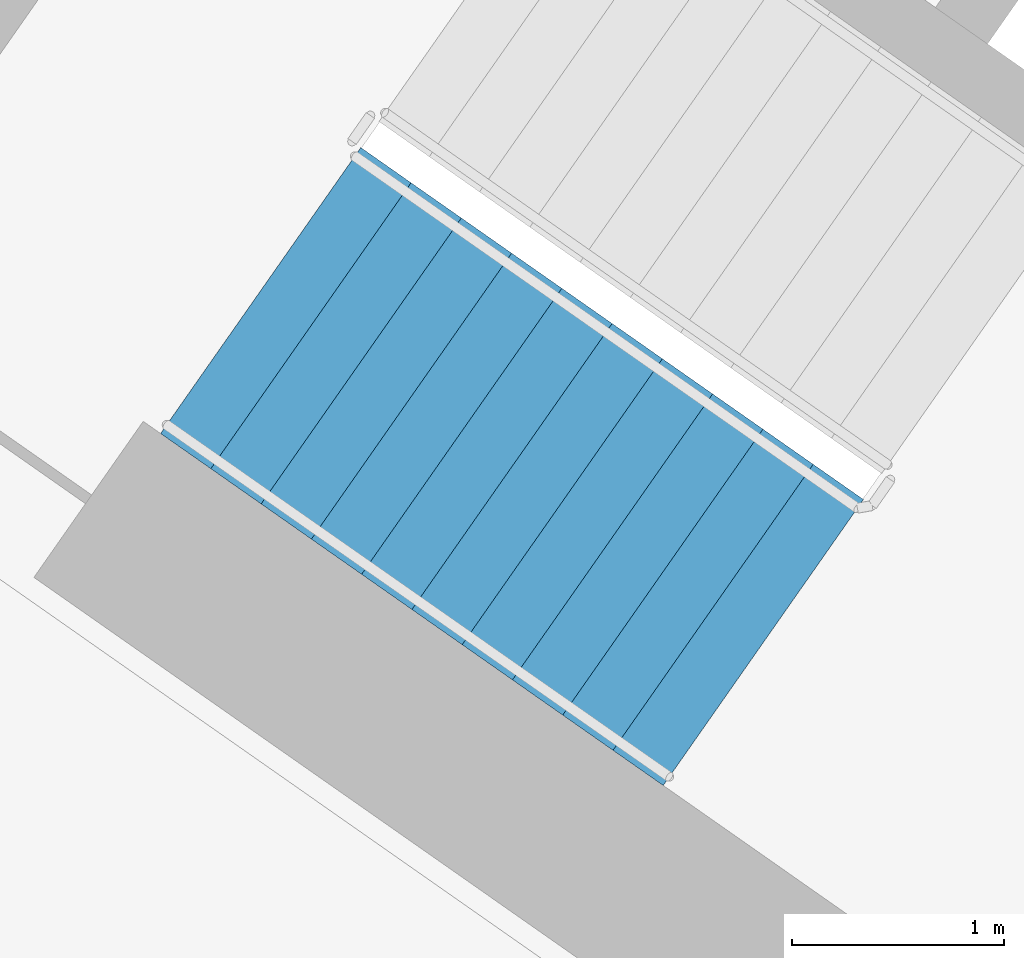
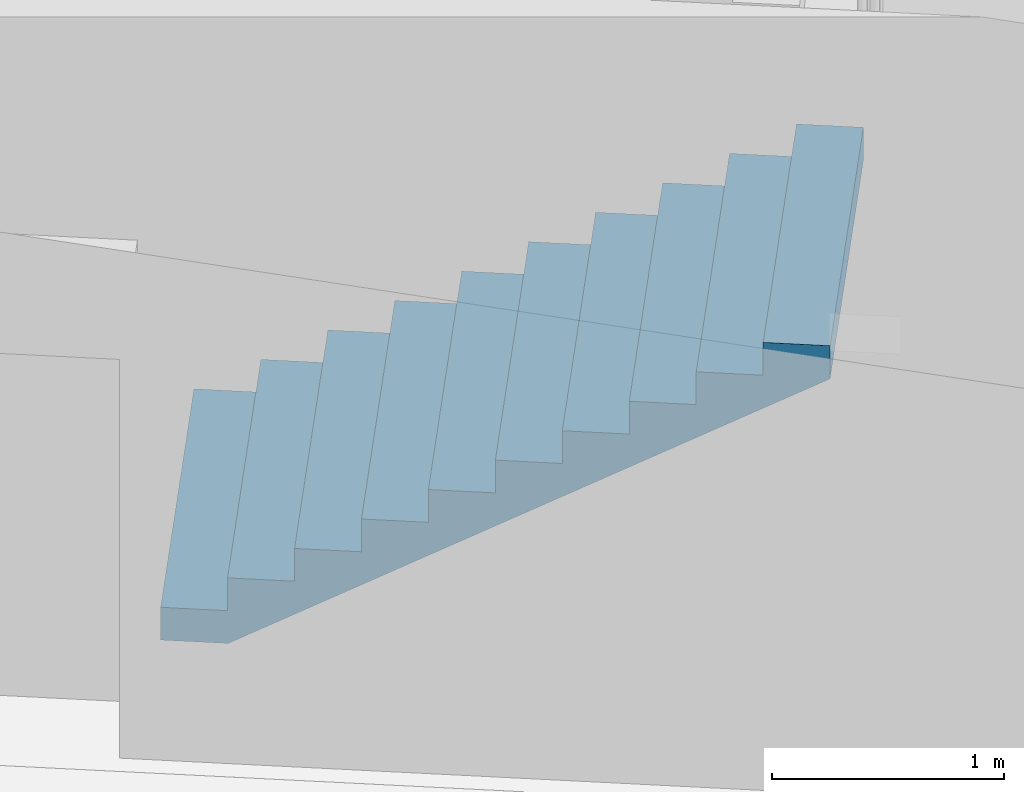
# One storey, part 12 of 32: 1 stair flight, 1 element without a shape of its own.
"""IFC4 building model written with IfcOpenShell, lengths in metres."""

import ifcopenshell
import ifcopenshell.guid

model = None  # the IFC model being written
_history = None  # IfcOwnerHistory: only IFC2X3 demands one
_inside = {}  # id of a spatial element -> (the spatial element, [elements in it])
_under = {}  # id of a project, library or spatial element -> (it, [spatial elements below it])
_declared = {}  # id of a project -> (the project, [libraries it declares])
_typed = {}  # id of a type object -> (the type object, [elements of that type])
_made_of = {}  # id of a material, layer set ... -> (it, [elements and type objects made of it])


def new_model(schema):
    """Start an empty IFC model of exactly this schema.

    Asked for "IFC4X3", IfcOpenShell would pick the latest addendum, in which some entities
    have other attributes; the version numbers below select the first issue.
    IFC2X3 requires an IfcOwnerHistory on every rooted entity: one is made here for all.
    """
    global model, _history
    if schema == "IFC4X3":
        model = ifcopenshell.file(schema_version=(4, 3, 0, 0))
    else:
        model = ifcopenshell.file(schema=schema)
    _inside.clear()
    _under.clear()
    _declared.clear()
    _typed.clear()
    _made_of.clear()
    _history = None
    if model.schema == "IFC2X3":
        org = make("IfcOrganization", Name="unknown")
        user = make(
            "IfcPersonAndOrganization",
            ThePerson=make("IfcPerson", FamilyName="unknown"),
            TheOrganization=org,
        )
        app = make(
            "IfcApplication",
            ApplicationDeveloper=org,
            Version="unknown",
            ApplicationFullName="unknown",
            ApplicationIdentifier="unknown",
        )
        _history = make(
            "IfcOwnerHistory",
            OwningUser=user,
            OwningApplication=app,
            ChangeAction="ADDED",
            CreationDate=0,
        )
    return model


def make(cls, **values):
    """One entity of the class cls with the attributes given. An attribute that is None is left unset."""
    return model.create_entity(
        cls, **{name: value for name, value in values.items() if value is not None}
    )


def rooted(cls, **values):
    """An entity with a GlobalId (a new one), such as an element, a storey or a relation."""
    return make(cls, GlobalId=ifcopenshell.guid.new(), OwnerHistory=_history, **values)


def si_unit(unit_type, name, prefix=None):
    """IfcSIUnit, for example si_unit("LENGTHUNIT", "METRE", prefix="MILLI")."""
    return make("IfcSIUnit", UnitType=unit_type, Prefix=prefix, Name=name)


def assignment(units):
    """IfcUnitAssignment: the units of a project."""
    return None if units is None else make("IfcUnitAssignment", Units=units)


def point(xyz):
    """IfcCartesianPoint."""
    return None if xyz is None else make("IfcCartesianPoint", Coordinates=xyz)


def direction(xyz):
    """IfcDirection."""
    return None if xyz is None else make("IfcDirection", DirectionRatios=xyz)


def frame(location, z_axis=None, x_axis=None):
    """IfcAxis2Placement3D, a coordinate frame: its origin and axes. An axis left out is left unset."""
    return make(
        "IfcAxis2Placement3D",
        Location=point(location),
        Axis=direction(z_axis),
        RefDirection=direction(x_axis),
    )


def origin():
    """The frame at (0, 0, 0) with its axes left unset."""
    return frame((0.0, 0.0, 0.0))


def place(relative_to, where):
    """IfcLocalPlacement: puts the frame where relative to a parent placement (None: the world)."""
    return make(
        "IfcLocalPlacement", PlacementRelTo=relative_to, RelativePlacement=where
    )


def context(
    kind, dimensions, precision=None, world=None, true_north=None, identifier=None
):
    """IfcGeometricRepresentationContext, for example the 3D "Model" context."""
    return make(
        "IfcGeometricRepresentationContext",
        ContextIdentifier=identifier,
        ContextType=kind,
        CoordinateSpaceDimension=dimensions,
        Precision=precision,
        WorldCoordinateSystem=world,
        TrueNorth=true_north,
    )


def subcontext(parent, identifier, kind, view, scale=None):
    """IfcGeometricRepresentationSubContext, for example "Body" below "Model"."""
    return make(
        "IfcGeometricRepresentationSubContext",
        ContextIdentifier=identifier,
        ContextType=kind,
        ParentContext=parent,
        TargetScale=scale,
        TargetView=view,
    )


def project(units=None, contexts=None):
    """IfcProject with its units and contexts."""
    return rooted(
        "IfcProject",
        Name="project",
        RepresentationContexts=contexts,
        UnitsInContext=assignment(units),
    )


def spatial(cls, under=None, at=None, **own):
    """A site, building, storey or space (cls), placed at a placement, below another one or the project."""
    s = rooted(cls, ObjectPlacement=at, **own)
    if under is not None:
        _under.setdefault(under.id(), (under, []))[1].append(s)
    return s


def faces_of(points, faces, orient=None, outer=None):
    """IfcFace entities. A face is a list of loops; a loop is a list of indices into points, from 0.

    orient and outer hold one flag for each loop. By default every Orientation is true, the
    first loop of a face is its IfcFaceOuterBound and the others are IfcFaceBound.
    """
    made = []
    for i, loops in enumerate(faces):
        bounds = []
        for j, loop in enumerate(loops):
            is_outer = j == 0 if outer is None else outer[i][j]
            bounds.append(
                make(
                    "IfcFaceOuterBound" if is_outer else "IfcFaceBound",
                    Bound=make("IfcPolyLoop", Polygon=[points[k] for k in loop]),
                    Orientation=True if orient is None else orient[i][j],
                )
            )
        made.append(make("IfcFace", Bounds=bounds))
    return made


def faceted_brep(points, faces, orient=None, outer=None, voids=None):
    """IfcFacetedBrep: a solid bounded by flat faces; with voids (closed shells), ...WithVoids."""
    shared = [point(p) for p in points]
    hull = make("IfcClosedShell", CfsFaces=faces_of(shared, faces, orient, outer))
    if voids is None:
        return make("IfcFacetedBrep", Outer=hull)
    return make(
        "IfcFacetedBrepWithVoids",
        Outer=hull,
        Voids=[
            make(cls, CfsFaces=faces_of(shared, fs, o, b)) for cls, fs, o, b in voids
        ],
    )


def shape(context_of_items, identifier, shape_type, items):
    """IfcShapeRepresentation: the items that make up one representation, for example the "Body"."""
    return make(
        "IfcShapeRepresentation",
        ContextOfItems=context_of_items,
        RepresentationIdentifier=identifier,
        RepresentationType=shape_type,
        Items=items,
    )


def material(Name=None, Category=None):
    """IfcMaterial."""
    return make("IfcMaterial", Name=Name, Category=Category)


def made_of(thing, what):
    """Note that an element or type object is made of a material, layer set ...; save() writes the relation."""
    if what is not None:
        _made_of.setdefault(what.id(), (what, []))[1].append(thing)
    return thing


def type_object(cls, material=None, **own):
    """A type object (cls), such as IfcWallType, which elements share."""
    return made_of(rooted(cls, **own), material)


def element(
    cls,
    number,
    at=None,
    inside=None,
    cuts=None,
    type_object=None,
    material=None,
    context=None,
    identifier="Body",
    shape_type=None,
    held_by="IfcProductDefinitionShape",
    body=None,
    shapes=None,
    **own,
):
    """One element of the class cls, such as IfcWall. Its Tag is "e" and its number.

    at: its placement. inside: the storey or other place that contains it. cuts: it is an
    opening in that element (IfcRelVoidsElement). A single representation is given by context,
    identifier, shape_type and body (its items); several are given by shapes. held_by: the class
    of the entity that holds the representations. save() writes the other relations.
    """
    e = rooted(cls, Tag="e%d" % number, ObjectPlacement=at, **own)
    if body is not None:
        shapes = [shape(context, identifier, shape_type, body)]
    if shapes is not None:
        e.Representation = make(held_by, Representations=shapes)
    if inside is not None:
        _inside.setdefault(inside.id(), (inside, []))[1].append(e)
    if cuts is not None:
        rooted(
            "IfcRelVoidsElement", RelatingBuildingElement=cuts, RelatedOpeningElement=e
        )
    if type_object is not None:
        _typed.setdefault(type_object.id(), (type_object, []))[1].append(e)
    return made_of(e, material)


def aggregate(whole, parts):
    """IfcRelAggregates: a whole, such as a stair, and the parts it consists of."""
    return rooted("IfcRelAggregates", RelatingObject=whole, RelatedObjects=parts)


def save(model, path):
    """Write the relations noted so far, then the file.

    IfcRelAggregates (storeys below a building ...), IfcRelContainedInSpatialStructure (elements
    in a storey), IfcRelDefinesByType, IfcRelAssociatesMaterial and IfcRelDeclares: one each for
    every whole, place, type object, material and project.
    """
    for whole, parts in _under.values():
        aggregate(whole, parts)
    for where, things in _inside.values():
        rooted(
            "IfcRelContainedInSpatialStructure",
            RelatedElements=things,
            RelatingStructure=where,
        )
    for kind, things in _typed.values():
        rooted("IfcRelDefinesByType", RelatedObjects=things, RelatingType=kind)
    for what, things in _made_of.values():
        rooted("IfcRelAssociatesMaterial", RelatedObjects=things, RelatingMaterial=what)
    for by, libraries in _declared.values():
        rooted("IfcRelDeclares", RelatingContext=by, RelatedDefinitions=libraries)
    model.write(path)


model = new_model("IFC4")

# Units and contexts
model_context = context("Model", 3, precision=1e-05, world=origin(), true_north=direction((0.0, 1.0)))
body_context = subcontext(model_context, "Body", "Model", "MODEL_VIEW")
ifc_project = project(units=[si_unit("LENGTHUNIT", "METRE"), si_unit("AREAUNIT", "SQUARE_METRE"), si_unit("VOLUMEUNIT", "CUBIC_METRE"), si_unit("PLANEANGLEUNIT", "RADIAN"), si_unit("MASSUNIT", "GRAM", prefix="KILO")], contexts=[model_context])

# Site, building, storey
site_placement = place(None, origin())
site = spatial("IfcSite", under=ifc_project, at=site_placement, CompositionType="ELEMENT")
building_placement = place(site_placement, origin())
building = spatial("IfcBuilding", under=site, at=building_placement, Name="Qamariyya Broadcast Tower", CompositionType="ELEMENT")
storey_placement = place(building_placement, frame((0.0, 0.0, 70.89990234375)))
storey = spatial("IfcBuildingStorey", under=building, at=storey_placement, Name="L14", CompositionType="ELEMENT", Elevation=70.89990234375)

# Stair, stair flight
ifc_material = material(Name="Concrete C50/60", Category="concrete")
stair_type = type_object("IfcStairType", Name="Exit stair 22 risers of 173 mm", PredefinedType="HALF_TURN_STAIR", material=ifc_material)
stair_placement = place(storey_placement, origin())
stair = element("IfcStair", 1, at=stair_placement, inside=storey, type_object=stair_type, Name="L14 Stair W1", PredefinedType="HALF_TURN_STAIR")
stair_flight_type = type_object("IfcStairFlightType", Name="Exit stair flight 11 risers of 173 mm", PredefinedType="STRAIGHT", material=ifc_material)
stair_flight_placement = place(storey_placement, frame((-47.06884765625, -56.982666015625, 0.0), z_axis=(0.0, 0.0, 1.0), x_axis=(0.819152044289, -0.573576436351, 0.0)))
stair_flight = element("IfcStairFlight", 2, at=stair_flight_placement, type_object=stair_flight_type, Name="ST-W1 flight 1", NumberOfRisers=11, NumberOfTreads=10, PredefinedType="STRAIGHT", RiserHeight=0.172727273, TreadLength=0.29, context=body_context, shape_type="Brep", body=[
    faceted_brep([(0.0, 0.824951171875, 0.0), (0.0, 0.824951171875, 0.172607421875), (0.2900390625, 0.824951171875, 0.172607421875), (0.2900390625, 0.824951171875, 0.345458984375), (0.580078125, 0.824951171875, 0.345458984375), (0.580078125, 0.824951171875, 0.51806640625), (0.8701171875, 0.824951171875, 0.51806640625), (0.8701171875, 0.824951171875, 0.69091796875), (1.159912109375, 0.824951171875, 0.69091796875), (1.159912109375, 0.824951171875, 0.863525390625), (1.449951171875, 0.824951171875, 0.863525390625), (1.449951171875, 0.824951171875, 1.036376953125), (1.739990234375, 0.824951171875, 1.036376953125), (1.739990234375, 0.824951171875, 1.208984375), (2.030029296875, 0.824951171875, 1.208984375), (2.030029296875, 0.824951171875, 1.3818359375), (2.320068359375, 0.824951171875, 1.3818359375), (2.320068359375, 0.824951171875, 1.554443359375), (2.610107421875, 0.824951171875, 1.554443359375), (2.610107421875, 0.824951171875, 1.727294921875), (2.89990234375, 0.824951171875, 1.727294921875), (2.89990234375, 0.824951171875, 1.552734375), (0.29296875, 0.824951171875, 0.0), (0.29296875, -0.824951171875, 0.0), (2.89990234375, -0.824951171875, 1.552734375), (2.89990234375, -0.824951171875, 1.727294921875), (2.610107421875, -0.824951171875, 1.727294921875), (2.610107421875, -0.824951171875, 1.554443359375), (2.320068359375, -0.824951171875, 1.554443359375), (2.320068359375, -0.824951171875, 1.3818359375), (2.030029296875, -0.824951171875, 1.3818359375), (2.030029296875, -0.824951171875, 1.208984375), (1.739990234375, -0.824951171875, 1.208984375), (1.739990234375, -0.824951171875, 1.036376953125), (1.449951171875, -0.824951171875, 1.036376953125), (1.449951171875, -0.824951171875, 0.863525390625), (1.159912109375, -0.824951171875, 0.863525390625), (1.159912109375, -0.824951171875, 0.69091796875), (0.8701171875, -0.824951171875, 0.69091796875), (0.8701171875, -0.824951171875, 0.51806640625), (0.580078125, -0.824951171875, 0.51806640625), (0.580078125, -0.824951171875, 0.345458984375), (0.2900390625, -0.824951171875, 0.345458984375), (0.2900390625, -0.824951171875, 0.172607421875), (0.0, -0.824951171875, 0.172607421875), (0.0, -0.824951171875, 0.0), (0.0, 0.10009765625, 0.0), (0.0, 0.086669921875, 0.0), (0.0, 0.0732421875, 0.0), (0.0, 0.06005859375, 0.0), (0.0, 0.046630859375, 0.0), (0.0, 0.033447265625, 0.0), (0.0, 0.02001953125, 0.0), (0.0, 0.006591796875, 0.0), (0.0, -0.006591796875, 0.0), (0.0, -0.02001953125, 0.0), (0.0, -0.033447265625, 0.0), (0.0, -0.046630859375, 0.0), (0.0, -0.06005859375, 0.0), (0.0, -0.0732421875, 0.0), (0.0, -0.086669921875, 0.0), (0.0, -0.10009765625, 0.0), (0.0, -0.10009765625, 0.172607421875), (0.0, -0.086669921875, 0.172607421875), (0.0, -0.0732421875, 0.172607421875), (0.0, -0.06005859375, 0.172607421875), (0.0, -0.046630859375, 0.172607421875), (0.0, -0.033447265625, 0.172607421875), (0.0, -0.02001953125, 0.172607421875), (0.0, -0.006591796875, 0.172607421875), (0.0, 0.006591796875, 0.172607421875), (0.0, 0.02001953125, 0.172607421875), (0.0, 0.033447265625, 0.172607421875), (0.0, 0.046630859375, 0.172607421875), (0.0, 0.06005859375, 0.172607421875), (0.0, 0.0732421875, 0.172607421875), (0.0, 0.086669921875, 0.172607421875), (0.0, 0.10009765625, 0.172607421875), (0.2900390625, -0.10009765625, 0.172607421875), (0.2900390625, -0.086669921875, 0.172607421875), (0.2900390625, -0.0732421875, 0.172607421875), (0.2900390625, -0.06005859375, 0.172607421875), (0.2900390625, -0.046630859375, 0.172607421875), (0.2900390625, -0.033447265625, 0.172607421875), (0.2900390625, -0.02001953125, 0.172607421875), (0.2900390625, -0.006591796875, 0.172607421875), (0.2900390625, 0.006591796875, 0.172607421875), (0.2900390625, 0.02001953125, 0.172607421875), (0.2900390625, 0.033447265625, 0.172607421875), (0.2900390625, 0.046630859375, 0.172607421875), (0.2900390625, 0.06005859375, 0.172607421875), (0.2900390625, 0.0732421875, 0.172607421875), (0.2900390625, 0.086669921875, 0.172607421875), (0.2900390625, 0.10009765625, 0.172607421875), (0.2900390625, -0.10009765625, 0.345458984375), (0.2900390625, -0.086669921875, 0.345458984375), (0.2900390625, -0.0732421875, 0.345458984375), (0.2900390625, -0.06005859375, 0.345458984375), (0.2900390625, -0.046630859375, 0.345458984375), (0.2900390625, -0.033447265625, 0.345458984375), (0.2900390625, -0.02001953125, 0.345458984375), (0.2900390625, -0.006591796875, 0.345458984375), (0.2900390625, 0.006591796875, 0.345458984375), (0.2900390625, 0.02001953125, 0.345458984375), (0.2900390625, 0.033447265625, 0.345458984375), (0.2900390625, 0.046630859375, 0.345458984375), (0.2900390625, 0.06005859375, 0.345458984375), (0.2900390625, 0.0732421875, 0.345458984375), (0.2900390625, 0.086669921875, 0.345458984375), (0.2900390625, 0.10009765625, 0.345458984375), (0.580078125, -0.10009765625, 0.345458984375), (0.580078125, -0.086669921875, 0.345458984375), (0.580078125, -0.0732421875, 0.345458984375), (0.580078125, -0.06005859375, 0.345458984375), (0.580078125, -0.046630859375, 0.345458984375), (0.580078125, -0.033447265625, 0.345458984375), (0.580078125, -0.02001953125, 0.345458984375), (0.580078125, -0.006591796875, 0.345458984375), (0.580078125, 0.006591796875, 0.345458984375), (0.580078125, 0.02001953125, 0.345458984375), (0.580078125, 0.033447265625, 0.345458984375), (0.580078125, 0.046630859375, 0.345458984375), (0.580078125, 0.06005859375, 0.345458984375), (0.580078125, 0.0732421875, 0.345458984375), (0.580078125, 0.086669921875, 0.345458984375), (0.580078125, 0.10009765625, 0.345458984375), (0.580078125, -0.10009765625, 0.51806640625), (0.580078125, -0.086669921875, 0.51806640625), (0.580078125, -0.0732421875, 0.51806640625), (0.580078125, -0.06005859375, 0.51806640625), (0.580078125, -0.046630859375, 0.51806640625), (0.580078125, -0.033447265625, 0.51806640625), (0.580078125, -0.02001953125, 0.51806640625), (0.580078125, -0.006591796875, 0.51806640625), (0.580078125, 0.006591796875, 0.51806640625), (0.580078125, 0.02001953125, 0.51806640625), (0.580078125, 0.033447265625, 0.51806640625), (0.580078125, 0.046630859375, 0.51806640625), (0.580078125, 0.06005859375, 0.51806640625), (0.580078125, 0.0732421875, 0.51806640625), (0.580078125, 0.086669921875, 0.51806640625), (0.580078125, 0.10009765625, 0.51806640625), (0.8701171875, -0.10009765625, 0.51806640625), (0.8701171875, -0.086669921875, 0.51806640625), (0.8701171875, -0.0732421875, 0.51806640625), (0.8701171875, -0.06005859375, 0.51806640625), (0.8701171875, -0.046630859375, 0.51806640625), (0.8701171875, -0.033447265625, 0.51806640625), (0.8701171875, -0.02001953125, 0.51806640625), (0.8701171875, -0.006591796875, 0.51806640625), (0.8701171875, 0.006591796875, 0.51806640625), (0.8701171875, 0.02001953125, 0.51806640625), (0.8701171875, 0.033447265625, 0.51806640625), (0.8701171875, 0.046630859375, 0.51806640625), (0.8701171875, 0.06005859375, 0.51806640625), (0.8701171875, 0.0732421875, 0.51806640625), (0.8701171875, 0.086669921875, 0.51806640625), (0.8701171875, 0.10009765625, 0.51806640625), (0.8701171875, -0.10009765625, 0.69091796875), (0.8701171875, -0.086669921875, 0.69091796875), (0.8701171875, -0.0732421875, 0.69091796875), (0.8701171875, -0.06005859375, 0.69091796875), (0.8701171875, -0.046630859375, 0.69091796875), (0.8701171875, -0.033447265625, 0.69091796875), (0.8701171875, -0.02001953125, 0.69091796875), (0.8701171875, -0.006591796875, 0.69091796875), (0.8701171875, 0.006591796875, 0.69091796875), (0.8701171875, 0.02001953125, 0.69091796875), (0.8701171875, 0.033447265625, 0.69091796875), (0.8701171875, 0.046630859375, 0.69091796875), (0.8701171875, 0.06005859375, 0.69091796875), (0.8701171875, 0.0732421875, 0.69091796875), (0.8701171875, 0.086669921875, 0.69091796875), (0.8701171875, 0.10009765625, 0.69091796875), (1.159912109375, -0.10009765625, 0.69091796875), (1.159912109375, -0.086669921875, 0.69091796875), (1.159912109375, -0.0732421875, 0.69091796875), (1.159912109375, -0.06005859375, 0.69091796875), (1.159912109375, -0.046630859375, 0.69091796875), (1.159912109375, -0.033447265625, 0.69091796875), (1.159912109375, -0.02001953125, 0.69091796875), (1.159912109375, -0.006591796875, 0.69091796875), (1.159912109375, 0.006591796875, 0.69091796875), (1.159912109375, 0.02001953125, 0.69091796875), (1.159912109375, 0.033447265625, 0.69091796875), (1.159912109375, 0.046630859375, 0.69091796875), (1.159912109375, 0.06005859375, 0.69091796875), (1.159912109375, 0.0732421875, 0.69091796875), (1.159912109375, 0.086669921875, 0.69091796875), (1.159912109375, 0.10009765625, 0.69091796875), (1.159912109375, -0.10009765625, 0.863525390625), (1.159912109375, -0.086669921875, 0.863525390625), (1.159912109375, -0.0732421875, 0.863525390625), (1.159912109375, -0.06005859375, 0.863525390625), (1.159912109375, -0.046630859375, 0.863525390625), (1.159912109375, -0.033447265625, 0.863525390625), (1.159912109375, -0.02001953125, 0.863525390625), (1.159912109375, -0.006591796875, 0.863525390625), (1.159912109375, 0.006591796875, 0.863525390625), (1.159912109375, 0.02001953125, 0.863525390625), (1.159912109375, 0.033447265625, 0.863525390625), (1.159912109375, 0.046630859375, 0.863525390625), (1.159912109375, 0.06005859375, 0.863525390625), (1.159912109375, 0.0732421875, 0.863525390625), (1.159912109375, 0.086669921875, 0.863525390625), (1.159912109375, 0.10009765625, 0.863525390625), (1.449951171875, -0.10009765625, 0.863525390625), (1.449951171875, -0.086669921875, 0.863525390625), (1.449951171875, -0.0732421875, 0.863525390625), (1.449951171875, -0.06005859375, 0.863525390625), (1.449951171875, -0.046630859375, 0.863525390625), (1.449951171875, -0.033447265625, 0.863525390625), (1.449951171875, -0.02001953125, 0.863525390625), (1.449951171875, -0.006591796875, 0.863525390625), (1.449951171875, 0.006591796875, 0.863525390625), (1.449951171875, 0.02001953125, 0.863525390625), (1.449951171875, 0.033447265625, 0.863525390625), (1.449951171875, 0.046630859375, 0.863525390625), (1.449951171875, 0.06005859375, 0.863525390625), (1.449951171875, 0.0732421875, 0.863525390625), (1.449951171875, 0.086669921875, 0.863525390625), (1.449951171875, 0.10009765625, 0.863525390625), (1.449951171875, -0.10009765625, 1.036376953125), (1.449951171875, -0.086669921875, 1.036376953125), (1.449951171875, -0.0732421875, 1.036376953125), (1.449951171875, -0.06005859375, 1.036376953125), (1.449951171875, -0.046630859375, 1.036376953125), (1.449951171875, -0.033447265625, 1.036376953125), (1.449951171875, -0.02001953125, 1.036376953125), (1.449951171875, -0.006591796875, 1.036376953125), (1.449951171875, 0.006591796875, 1.036376953125), (1.449951171875, 0.02001953125, 1.036376953125), (1.449951171875, 0.033447265625, 1.036376953125), (1.449951171875, 0.046630859375, 1.036376953125), (1.449951171875, 0.06005859375, 1.036376953125), (1.449951171875, 0.0732421875, 1.036376953125), (1.449951171875, 0.086669921875, 1.036376953125), (1.449951171875, 0.10009765625, 1.036376953125), (1.739990234375, -0.10009765625, 1.036376953125), (1.739990234375, -0.086669921875, 1.036376953125), (1.739990234375, -0.0732421875, 1.036376953125), (1.739990234375, -0.06005859375, 1.036376953125), (1.739990234375, -0.046630859375, 1.036376953125), (1.739990234375, -0.033447265625, 1.036376953125), (1.739990234375, -0.02001953125, 1.036376953125), (1.739990234375, -0.006591796875, 1.036376953125), (1.739990234375, 0.006591796875, 1.036376953125), (1.739990234375, 0.02001953125, 1.036376953125), (1.739990234375, 0.033447265625, 1.036376953125), (1.739990234375, 0.046630859375, 1.036376953125), (1.739990234375, 0.06005859375, 1.036376953125), (1.739990234375, 0.0732421875, 1.036376953125), (1.739990234375, 0.086669921875, 1.036376953125), (1.739990234375, 0.10009765625, 1.036376953125), (1.739990234375, -0.10009765625, 1.208984375), (1.739990234375, -0.086669921875, 1.208984375), (1.739990234375, -0.0732421875, 1.208984375), (1.739990234375, -0.06005859375, 1.208984375), (1.739990234375, -0.046630859375, 1.208984375), (1.739990234375, -0.033447265625, 1.208984375), (1.739990234375, -0.02001953125, 1.208984375), (1.739990234375, -0.006591796875, 1.208984375), (1.739990234375, 0.006591796875, 1.208984375), (1.739990234375, 0.02001953125, 1.208984375), (1.739990234375, 0.033447265625, 1.208984375), (1.739990234375, 0.046630859375, 1.208984375), (1.739990234375, 0.06005859375, 1.208984375), (1.739990234375, 0.0732421875, 1.208984375), (1.739990234375, 0.086669921875, 1.208984375), (1.739990234375, 0.10009765625, 1.208984375), (2.030029296875, -0.10009765625, 1.208984375), (2.030029296875, -0.086669921875, 1.208984375), (2.030029296875, -0.0732421875, 1.208984375), (2.030029296875, -0.06005859375, 1.208984375), (2.030029296875, -0.046630859375, 1.208984375), (2.030029296875, -0.033447265625, 1.208984375), (2.030029296875, -0.02001953125, 1.208984375), (2.030029296875, -0.006591796875, 1.208984375), (2.030029296875, 0.006591796875, 1.208984375), (2.030029296875, 0.02001953125, 1.208984375), (2.030029296875, 0.033447265625, 1.208984375), (2.030029296875, 0.046630859375, 1.208984375), (2.030029296875, 0.06005859375, 1.208984375), (2.030029296875, 0.0732421875, 1.208984375), (2.030029296875, 0.086669921875, 1.208984375), (2.030029296875, 0.10009765625, 1.208984375), (2.030029296875, -0.10009765625, 1.3818359375), (2.030029296875, -0.086669921875, 1.3818359375), (2.030029296875, -0.0732421875, 1.3818359375), (2.030029296875, -0.06005859375, 1.3818359375), (2.030029296875, -0.046630859375, 1.3818359375), (2.030029296875, -0.033447265625, 1.3818359375), (2.030029296875, -0.02001953125, 1.3818359375), (2.030029296875, -0.006591796875, 1.3818359375), (2.030029296875, 0.006591796875, 1.3818359375), (2.030029296875, 0.02001953125, 1.3818359375), (2.030029296875, 0.033447265625, 1.3818359375), (2.030029296875, 0.046630859375, 1.3818359375), (2.030029296875, 0.06005859375, 1.3818359375), (2.030029296875, 0.0732421875, 1.3818359375), (2.030029296875, 0.086669921875, 1.3818359375), (2.030029296875, 0.10009765625, 1.3818359375), (2.320068359375, -0.10009765625, 1.3818359375), (2.320068359375, -0.086669921875, 1.3818359375), (2.320068359375, -0.0732421875, 1.3818359375), (2.320068359375, -0.06005859375, 1.3818359375), (2.320068359375, -0.046630859375, 1.3818359375), (2.320068359375, -0.033447265625, 1.3818359375), (2.320068359375, -0.02001953125, 1.3818359375), (2.320068359375, -0.006591796875, 1.3818359375), (2.320068359375, 0.006591796875, 1.3818359375), (2.320068359375, 0.02001953125, 1.3818359375), (2.320068359375, 0.033447265625, 1.3818359375), (2.320068359375, 0.046630859375, 1.3818359375), (2.320068359375, 0.06005859375, 1.3818359375), (2.320068359375, 0.0732421875, 1.3818359375), (2.320068359375, 0.086669921875, 1.3818359375), (2.320068359375, 0.10009765625, 1.3818359375), (2.320068359375, -0.10009765625, 1.554443359375), (2.320068359375, -0.086669921875, 1.554443359375), (2.320068359375, -0.0732421875, 1.554443359375), (2.320068359375, -0.06005859375, 1.554443359375), (2.320068359375, -0.046630859375, 1.554443359375), (2.320068359375, -0.033447265625, 1.554443359375), (2.320068359375, -0.02001953125, 1.554443359375), (2.320068359375, -0.006591796875, 1.554443359375), (2.320068359375, 0.006591796875, 1.554443359375), (2.320068359375, 0.02001953125, 1.554443359375), (2.320068359375, 0.033447265625, 1.554443359375), (2.320068359375, 0.046630859375, 1.554443359375), (2.320068359375, 0.06005859375, 1.554443359375), (2.320068359375, 0.0732421875, 1.554443359375), (2.320068359375, 0.086669921875, 1.554443359375), (2.320068359375, 0.10009765625, 1.554443359375), (2.610107421875, -0.10009765625, 1.554443359375), (2.610107421875, -0.086669921875, 1.554443359375), (2.610107421875, -0.0732421875, 1.554443359375), (2.610107421875, -0.06005859375, 1.554443359375), (2.610107421875, -0.046630859375, 1.554443359375), (2.610107421875, -0.033447265625, 1.554443359375), (2.610107421875, -0.02001953125, 1.554443359375), (2.610107421875, -0.006591796875, 1.554443359375), (2.610107421875, 0.006591796875, 1.554443359375), (2.610107421875, 0.02001953125, 1.554443359375), (2.610107421875, 0.033447265625, 1.554443359375), (2.610107421875, 0.046630859375, 1.554443359375), (2.610107421875, 0.06005859375, 1.554443359375), (2.610107421875, 0.0732421875, 1.554443359375), (2.610107421875, 0.086669921875, 1.554443359375), (2.610107421875, 0.10009765625, 1.554443359375), (2.610107421875, -0.10009765625, 1.727294921875), (2.610107421875, -0.086669921875, 1.727294921875), (2.610107421875, -0.0732421875, 1.727294921875), (2.610107421875, -0.06005859375, 1.727294921875), (2.610107421875, -0.046630859375, 1.727294921875), (2.610107421875, -0.033447265625, 1.727294921875), (2.610107421875, -0.02001953125, 1.727294921875), (2.610107421875, -0.006591796875, 1.727294921875), (2.610107421875, 0.006591796875, 1.727294921875), (2.610107421875, 0.02001953125, 1.727294921875), (2.610107421875, 0.033447265625, 1.727294921875), (2.610107421875, 0.046630859375, 1.727294921875), (2.610107421875, 0.06005859375, 1.727294921875), (2.610107421875, 0.0732421875, 1.727294921875), (2.610107421875, 0.086669921875, 1.727294921875), (2.610107421875, 0.10009765625, 1.727294921875), (2.89990234375, -0.10009765625, 1.727294921875), (2.89990234375, -0.086669921875, 1.727294921875), (2.89990234375, -0.0732421875, 1.727294921875), (2.89990234375, -0.06005859375, 1.727294921875), (2.89990234375, -0.046630859375, 1.727294921875), (2.89990234375, -0.033447265625, 1.727294921875), (2.89990234375, -0.02001953125, 1.727294921875), (2.89990234375, -0.006591796875, 1.727294921875), (2.89990234375, 0.006591796875, 1.727294921875), (2.89990234375, 0.02001953125, 1.727294921875), (2.89990234375, 0.033447265625, 1.727294921875), (2.89990234375, 0.046630859375, 1.727294921875), (2.89990234375, 0.06005859375, 1.727294921875), (2.89990234375, 0.0732421875, 1.727294921875), (2.89990234375, 0.086669921875, 1.727294921875), (2.89990234375, 0.10009765625, 1.727294921875), (2.89990234375, -0.10009765625, 1.552734375), (2.89990234375, -0.086669921875, 1.552734375), (2.89990234375, -0.0732421875, 1.552734375), (2.89990234375, -0.06005859375, 1.552734375), (2.89990234375, -0.046630859375, 1.552734375), (2.89990234375, -0.033447265625, 1.552734375), (2.89990234375, -0.02001953125, 1.552734375), (2.89990234375, -0.006591796875, 1.552734375), (2.89990234375, 0.006591796875, 1.552734375), (2.89990234375, 0.02001953125, 1.552734375), (2.89990234375, 0.033447265625, 1.552734375), (2.89990234375, 0.046630859375, 1.552734375), (2.89990234375, 0.06005859375, 1.552734375), (2.89990234375, 0.0732421875, 1.552734375), (2.89990234375, 0.086669921875, 1.552734375), (2.89990234375, 0.10009765625, 1.552734375), (0.29296875, -0.10009765625, 0.0), (0.29296875, -0.086669921875, 0.0), (0.29296875, -0.0732421875, 0.0), (0.29296875, -0.06005859375, 0.0), (0.29296875, -0.046630859375, 0.0), (0.29296875, -0.033447265625, 0.0), (0.29296875, -0.02001953125, 0.0), (0.29296875, -0.006591796875, 0.0), (0.29296875, 0.006591796875, 0.0), (0.29296875, 0.02001953125, 0.0), (0.29296875, 0.033447265625, 0.0), (0.29296875, 0.046630859375, 0.0), (0.29296875, 0.06005859375, 0.0), (0.29296875, 0.0732421875, 0.0), (0.29296875, 0.086669921875, 0.0), (0.29296875, 0.10009765625, 0.0)], [[[0, 1, 2, 3, 4, 5, 6, 7, 8, 9, 10, 11, 12, 13, 14, 15, 16, 17, 18, 19, 20, 21, 22]], [[23, 24, 25, 26, 27, 28, 29, 30, 31, 32, 33, 34, 35, 36, 37, 38, 39, 40, 41, 42, 43, 44, 45]], [[0, 46, 47, 48, 49, 50, 51, 52, 53, 54, 55, 56, 57, 58, 59, 60, 61, 45, 44, 62, 63, 64, 65, 66, 67, 68, 69, 70, 71, 72, 73, 74, 75, 76, 77, 1]], [[1, 77, 76, 75, 74, 73, 72, 71, 70, 69, 68, 67, 66, 65, 64, 63, 62, 44, 43, 78, 79, 80, 81, 82, 83, 84, 85, 86, 87, 88, 89, 90, 91, 92, 93, 2]], [[2, 93, 92, 91, 90, 89, 88, 87, 86, 85, 84, 83, 82, 81, 80, 79, 78, 43, 42, 94, 95, 96, 97, 98, 99, 100, 101, 102, 103, 104, 105, 106, 107, 108, 109, 3]], [[3, 109, 108, 107, 106, 105, 104, 103, 102, 101, 100, 99, 98, 97, 96, 95, 94, 42, 41, 110, 111, 112, 113, 114, 115, 116, 117, 118, 119, 120, 121, 122, 123, 124, 125, 4]], [[4, 125, 124, 123, 122, 121, 120, 119, 118, 117, 116, 115, 114, 113, 112, 111, 110, 41, 40, 126, 127, 128, 129, 130, 131, 132, 133, 134, 135, 136, 137, 138, 139, 140, 141, 5]], [[5, 141, 140, 139, 138, 137, 136, 135, 134, 133, 132, 131, 130, 129, 128, 127, 126, 40, 39, 142, 143, 144, 145, 146, 147, 148, 149, 150, 151, 152, 153, 154, 155, 156, 157, 6]], [[6, 157, 156, 155, 154, 153, 152, 151, 150, 149, 148, 147, 146, 145, 144, 143, 142, 39, 38, 158, 159, 160, 161, 162, 163, 164, 165, 166, 167, 168, 169, 170, 171, 172, 173, 7]], [[7, 173, 172, 171, 170, 169, 168, 167, 166, 165, 164, 163, 162, 161, 160, 159, 158, 38, 37, 174, 175, 176, 177, 178, 179, 180, 181, 182, 183, 184, 185, 186, 187, 188, 189, 8]], [[8, 189, 188, 187, 186, 185, 184, 183, 182, 181, 180, 179, 178, 177, 176, 175, 174, 37, 36, 190, 191, 192, 193, 194, 195, 196, 197, 198, 199, 200, 201, 202, 203, 204, 205, 9]], [[9, 205, 204, 203, 202, 201, 200, 199, 198, 197, 196, 195, 194, 193, 192, 191, 190, 36, 35, 206, 207, 208, 209, 210, 211, 212, 213, 214, 215, 216, 217, 218, 219, 220, 221, 10]], [[10, 221, 220, 219, 218, 217, 216, 215, 214, 213, 212, 211, 210, 209, 208, 207, 206, 35, 34, 222, 223, 224, 225, 226, 227, 228, 229, 230, 231, 232, 233, 234, 235, 236, 237, 11]], [[11, 237, 236, 235, 234, 233, 232, 231, 230, 229, 228, 227, 226, 225, 224, 223, 222, 34, 33, 238, 239, 240, 241, 242, 243, 244, 245, 246, 247, 248, 249, 250, 251, 252, 253, 12]], [[12, 253, 252, 251, 250, 249, 248, 247, 246, 245, 244, 243, 242, 241, 240, 239, 238, 33, 32, 254, 255, 256, 257, 258, 259, 260, 261, 262, 263, 264, 265, 266, 267, 268, 269, 13]], [[13, 269, 268, 267, 266, 265, 264, 263, 262, 261, 260, 259, 258, 257, 256, 255, 254, 32, 31, 270, 271, 272, 273, 274, 275, 276, 277, 278, 279, 280, 281, 282, 283, 284, 285, 14]], [[14, 285, 284, 283, 282, 281, 280, 279, 278, 277, 276, 275, 274, 273, 272, 271, 270, 31, 30, 286, 287, 288, 289, 290, 291, 292, 293, 294, 295, 296, 297, 298, 299, 300, 301, 15]], [[15, 301, 300, 299, 298, 297, 296, 295, 294, 293, 292, 291, 290, 289, 288, 287, 286, 30, 29, 302, 303, 304, 305, 306, 307, 308, 309, 310, 311, 312, 313, 314, 315, 316, 317, 16]], [[16, 317, 316, 315, 314, 313, 312, 311, 310, 309, 308, 307, 306, 305, 304, 303, 302, 29, 28, 318, 319, 320, 321, 322, 323, 324, 325, 326, 327, 328, 329, 330, 331, 332, 333, 17]], [[17, 333, 332, 331, 330, 329, 328, 327, 326, 325, 324, 323, 322, 321, 320, 319, 318, 28, 27, 334, 335, 336, 337, 338, 339, 340, 341, 342, 343, 344, 345, 346, 347, 348, 349, 18]], [[18, 349, 348, 347, 346, 345, 344, 343, 342, 341, 340, 339, 338, 337, 336, 335, 334, 27, 26, 350, 351, 352, 353, 354, 355, 356, 357, 358, 359, 360, 361, 362, 363, 364, 365, 19]], [[19, 365, 364, 363, 362, 361, 360, 359, 358, 357, 356, 355, 354, 353, 352, 351, 350, 26, 25, 366, 367, 368, 369, 370, 371, 372, 373, 374, 375, 376, 377, 378, 379, 380, 381, 20]], [[20, 381, 380, 379, 378, 377, 376, 375, 374, 373, 372, 371, 370, 369, 368, 367, 366, 25, 24, 382, 383, 384, 385, 386, 387, 388, 389, 390, 391, 392, 393, 394, 395, 396, 397, 21]], [[21, 397, 396, 395, 394, 393, 392, 391, 390, 389, 388, 387, 386, 385, 384, 383, 382, 24, 23, 398, 399, 400, 401, 402, 403, 404, 405, 406, 407, 408, 409, 410, 411, 412, 413, 22]], [[22, 413, 412, 411, 410, 409, 408, 407, 406, 405, 404, 403, 402, 401, 400, 399, 398, 23, 45, 61, 60, 59, 58, 57, 56, 55, 54, 53, 52, 51, 50, 49, 48, 47, 46, 0]]]),
])
aggregate(stair, [stair_flight])

save(model, "model.ifc")
